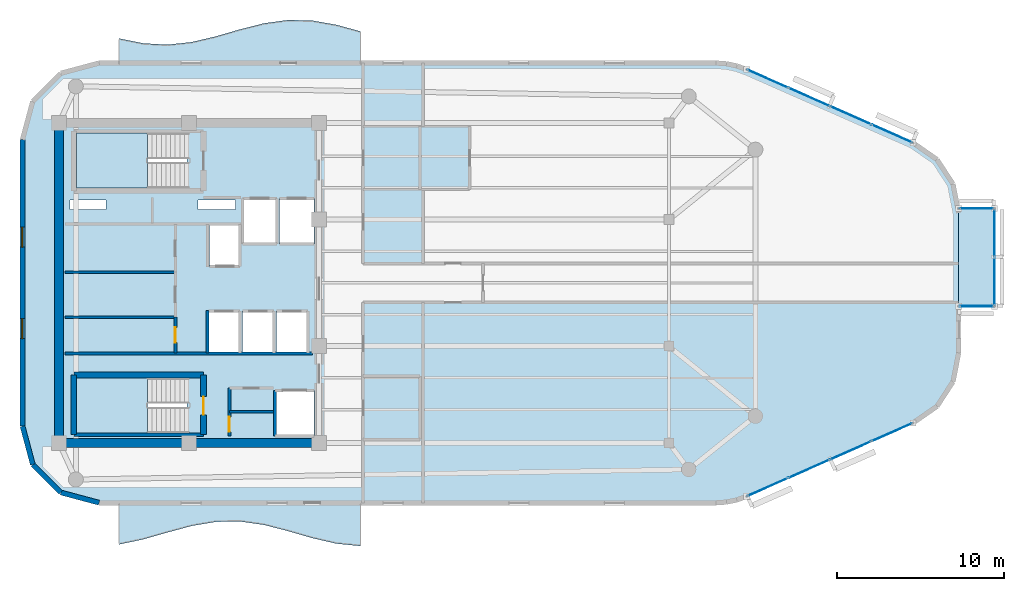
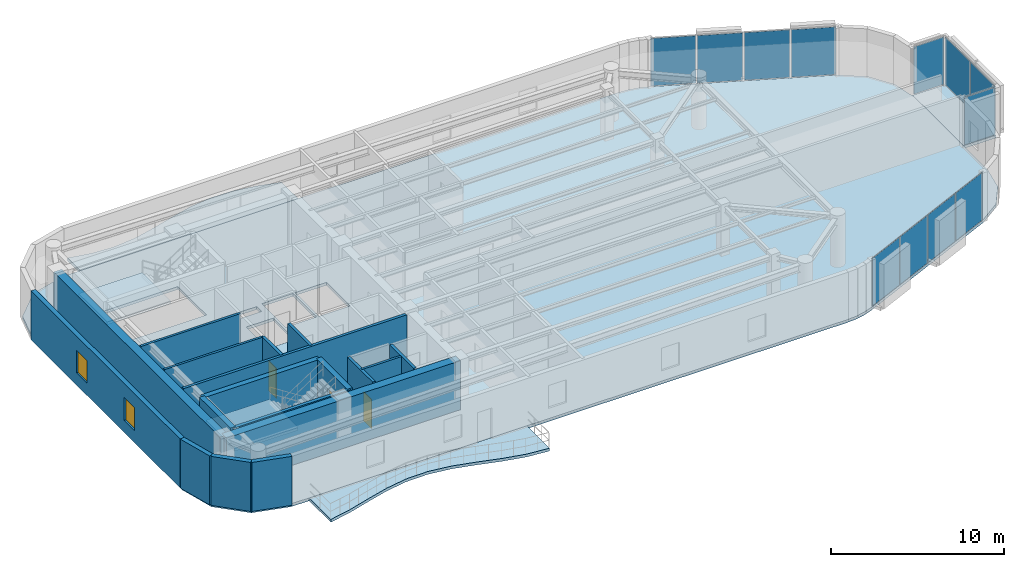
# One storey, part 8 of 13: 18 walls, 12 plates, 6 slabs, 3 doors, 2 windows, 5 openings, 7 elements without a shape of their own.
"""IFC4 building model written with IfcOpenShell, lengths in metres."""

import ifcopenshell
import ifcopenshell.guid

model = None  # the IFC model being written
_history = None  # IfcOwnerHistory: only IFC2X3 demands one
_inside = {}  # id of a spatial element -> (the spatial element, [elements in it])
_under = {}  # id of a project, library or spatial element -> (it, [spatial elements below it])
_declared = {}  # id of a project -> (the project, [libraries it declares])
_typed = {}  # id of a type object -> (the type object, [elements of that type])
_made_of = {}  # id of a material, layer set ... -> (it, [elements and type objects made of it])


def new_model(schema):
    """Start an empty IFC model of exactly this schema.

    Asked for "IFC4X3", IfcOpenShell would pick the latest addendum, in which some entities
    have other attributes; the version numbers below select the first issue.
    IFC2X3 requires an IfcOwnerHistory on every rooted entity: one is made here for all.
    """
    global model, _history
    if schema == "IFC4X3":
        model = ifcopenshell.file(schema_version=(4, 3, 0, 0))
    else:
        model = ifcopenshell.file(schema=schema)
    _inside.clear()
    _under.clear()
    _declared.clear()
    _typed.clear()
    _made_of.clear()
    _history = None
    if model.schema == "IFC2X3":
        org = make("IfcOrganization", Name="unknown")
        user = make(
            "IfcPersonAndOrganization",
            ThePerson=make("IfcPerson", FamilyName="unknown"),
            TheOrganization=org,
        )
        app = make(
            "IfcApplication",
            ApplicationDeveloper=org,
            Version="unknown",
            ApplicationFullName="unknown",
            ApplicationIdentifier="unknown",
        )
        _history = make(
            "IfcOwnerHistory",
            OwningUser=user,
            OwningApplication=app,
            ChangeAction="ADDED",
            CreationDate=0,
        )
    return model


def make(cls, **values):
    """One entity of the class cls with the attributes given. An attribute that is None is left unset."""
    return model.create_entity(
        cls, **{name: value for name, value in values.items() if value is not None}
    )


def rooted(cls, **values):
    """An entity with a GlobalId (a new one), such as an element, a storey or a relation."""
    return make(cls, GlobalId=ifcopenshell.guid.new(), OwnerHistory=_history, **values)


def si_unit(unit_type, name, prefix=None):
    """IfcSIUnit, for example si_unit("LENGTHUNIT", "METRE", prefix="MILLI")."""
    return make("IfcSIUnit", UnitType=unit_type, Prefix=prefix, Name=name)


def assignment(units):
    """IfcUnitAssignment: the units of a project."""
    return None if units is None else make("IfcUnitAssignment", Units=units)


def point(xyz):
    """IfcCartesianPoint."""
    return None if xyz is None else make("IfcCartesianPoint", Coordinates=xyz)


def direction(xyz):
    """IfcDirection."""
    return None if xyz is None else make("IfcDirection", DirectionRatios=xyz)


def frame(location, z_axis=None, x_axis=None):
    """IfcAxis2Placement3D, a coordinate frame: its origin and axes. An axis left out is left unset."""
    return make(
        "IfcAxis2Placement3D",
        Location=point(location),
        Axis=direction(z_axis),
        RefDirection=direction(x_axis),
    )


def frame_2d(location, x_axis=None):
    """IfcAxis2Placement2D, a coordinate frame in the plane: its origin and x axis."""
    return make(
        "IfcAxis2Placement2D", Location=point(location), RefDirection=direction(x_axis)
    )


def origin():
    """The frame at (0, 0, 0) with its axes left unset."""
    return frame((0.0, 0.0, 0.0))


def origin_2d():
    """The frame at (0, 0) in the plane with its x axis left unset."""
    return frame_2d((0.0, 0.0))


def place(relative_to, where):
    """IfcLocalPlacement: puts the frame where relative to a parent placement (None: the world)."""
    return make(
        "IfcLocalPlacement", PlacementRelTo=relative_to, RelativePlacement=where
    )


def context(
    kind, dimensions, precision=None, world=None, true_north=None, identifier=None
):
    """IfcGeometricRepresentationContext, for example the 3D "Model" context."""
    return make(
        "IfcGeometricRepresentationContext",
        ContextIdentifier=identifier,
        ContextType=kind,
        CoordinateSpaceDimension=dimensions,
        Precision=precision,
        WorldCoordinateSystem=world,
        TrueNorth=true_north,
    )


def subcontext(parent, identifier, kind, view, scale=None):
    """IfcGeometricRepresentationSubContext, for example "Body" below "Model"."""
    return make(
        "IfcGeometricRepresentationSubContext",
        ContextIdentifier=identifier,
        ContextType=kind,
        ParentContext=parent,
        TargetScale=scale,
        TargetView=view,
    )


def project(units=None, contexts=None):
    """IfcProject with its units and contexts."""
    return rooted(
        "IfcProject",
        Name="project",
        RepresentationContexts=contexts,
        UnitsInContext=assignment(units),
    )


def spatial(cls, under=None, at=None, **own):
    """A site, building, storey or space (cls), placed at a placement, below another one or the project."""
    s = rooted(cls, ObjectPlacement=at, **own)
    if under is not None:
        _under.setdefault(under.id(), (under, []))[1].append(s)
    return s


def polyline(points):
    """IfcPolyline through the points."""
    return make("IfcPolyline", Points=[point(p) for p in points])


def profile(cls, at=None, kind="AREA", **sizes):
    """A parametric profile (cls). Its sizes go by their IFC names, for example OverallWidth=200.0."""
    return make(cls, ProfileType=kind, Position=at, **sizes)


def rectangle(**sizes):
    """IfcRectangleProfileDef."""
    return profile("IfcRectangleProfileDef", **sizes)


def outline(outer, holes=None, kind="AREA"):
    """IfcArbitraryClosedProfileDef: a profile drawn as a closed curve; with holes, ...WithVoids."""
    if holes is None:
        return make("IfcArbitraryClosedProfileDef", ProfileType=kind, OuterCurve=outer)
    return make(
        "IfcArbitraryProfileDefWithVoids",
        ProfileType=kind,
        OuterCurve=outer,
        InnerCurves=holes,
    )


def extrude(swept, where, along, depth):
    """IfcExtrudedAreaSolid: the profile swept, set in the frame where, extruded along a direction by depth."""
    return make(
        "IfcExtrudedAreaSolid",
        SweptArea=swept,
        Position=where,
        ExtrudedDirection=direction(along),
        Depth=depth,
    )


def shape(context_of_items, identifier, shape_type, items):
    """IfcShapeRepresentation: the items that make up one representation, for example the "Body"."""
    return make(
        "IfcShapeRepresentation",
        ContextOfItems=context_of_items,
        RepresentationIdentifier=identifier,
        RepresentationType=shape_type,
        Items=items,
    )


def material(Name=None, Category=None):
    """IfcMaterial."""
    return make("IfcMaterial", Name=Name, Category=Category)


def layer(
    of_material, thickness, ventilated=None, Name=None, Category=None, Priority=None
):
    """IfcMaterialLayer: one layer of a wall or slab, of a material (None: an air gap)."""
    return make(
        "IfcMaterialLayer",
        Material=of_material,
        LayerThickness=thickness,
        IsVentilated=ventilated,
        Name=Name,
        Category=Category,
        Priority=Priority,
    )


def layer_set(layers, Name=None):
    """IfcMaterialLayerSet."""
    return make("IfcMaterialLayerSet", MaterialLayers=layers, LayerSetName=Name)


def made_of(thing, what):
    """Note that an element or type object is made of a material, layer set ...; save() writes the relation."""
    if what is not None:
        _made_of.setdefault(what.id(), (what, []))[1].append(thing)
    return thing


def type_object(cls, material=None, **own):
    """A type object (cls), such as IfcWallType, which elements share."""
    return made_of(rooted(cls, **own), material)


def element(
    cls,
    number,
    at=None,
    inside=None,
    cuts=None,
    type_object=None,
    material=None,
    context=None,
    identifier="Body",
    shape_type=None,
    held_by="IfcProductDefinitionShape",
    body=None,
    shapes=None,
    **own,
):
    """One element of the class cls, such as IfcWall. Its Tag is "e" and its number.

    at: its placement. inside: the storey or other place that contains it. cuts: it is an
    opening in that element (IfcRelVoidsElement). A single representation is given by context,
    identifier, shape_type and body (its items); several are given by shapes. held_by: the class
    of the entity that holds the representations. save() writes the other relations.
    """
    e = rooted(cls, Tag="e%d" % number, ObjectPlacement=at, **own)
    if body is not None:
        shapes = [shape(context, identifier, shape_type, body)]
    if shapes is not None:
        e.Representation = make(held_by, Representations=shapes)
    if inside is not None:
        _inside.setdefault(inside.id(), (inside, []))[1].append(e)
    if cuts is not None:
        rooted(
            "IfcRelVoidsElement", RelatingBuildingElement=cuts, RelatedOpeningElement=e
        )
    if type_object is not None:
        _typed.setdefault(type_object.id(), (type_object, []))[1].append(e)
    return made_of(e, material)


def fill(opening, filler):
    """IfcRelFillsElement: the door or window that sits in an opening."""
    return rooted(
        "IfcRelFillsElement",
        RelatingOpeningElement=opening,
        RelatedBuildingElement=filler,
    )


def aggregate(whole, parts):
    """IfcRelAggregates: a whole, such as a stair, and the parts it consists of."""
    return rooted("IfcRelAggregates", RelatingObject=whole, RelatedObjects=parts)


def save(model, path):
    """Write the relations noted so far, then the file.

    IfcRelAggregates (storeys below a building ...), IfcRelContainedInSpatialStructure (elements
    in a storey), IfcRelDefinesByType, IfcRelAssociatesMaterial and IfcRelDeclares: one each for
    every whole, place, type object, material and project.
    """
    for whole, parts in _under.values():
        aggregate(whole, parts)
    for where, things in _inside.values():
        rooted(
            "IfcRelContainedInSpatialStructure",
            RelatedElements=things,
            RelatingStructure=where,
        )
    for kind, things in _typed.values():
        rooted("IfcRelDefinesByType", RelatedObjects=things, RelatingType=kind)
    for what, things in _made_of.values():
        rooted("IfcRelAssociatesMaterial", RelatedObjects=things, RelatingMaterial=what)
    for by, libraries in _declared.values():
        rooted("IfcRelDeclares", RelatingContext=by, RelatedDefinitions=libraries)
    model.write(path)


model = new_model("IFC4")

# Units and contexts
model_context = context("Model", 3, precision=1e-05, world=origin(), true_north=direction((0.0, 1.0)))
body_context = subcontext(model_context, "Body", "Model", "MODEL_VIEW")
ifc_project = project(units=[si_unit("LENGTHUNIT", "METRE"), si_unit("AREAUNIT", "SQUARE_METRE"), si_unit("VOLUMEUNIT", "CUBIC_METRE"), si_unit("PLANEANGLEUNIT", "RADIAN"), si_unit("MASSUNIT", "GRAM", prefix="KILO")], contexts=[model_context])

# Site, building, storey
site_placement = place(None, origin())
site = spatial("IfcSite", under=ifc_project, at=site_placement, CompositionType="ELEMENT")
building_placement = place(site_placement, origin())
building = spatial("IfcBuilding", under=site, at=building_placement, Name="An Khanh Terracotta Commons", CompositionType="ELEMENT")
storey_placement = place(building_placement, frame((0.0, 0.0, 277.050048828125)))
storey = spatial("IfcBuildingStorey", under=building, at=storey_placement, Name="L72", CompositionType="ELEMENT", Elevation=277.050048828125)

# Curtain wall, plates
ifc_material_1 = material(Name="Anodised Aluminium 6063-T6", Category="aluminium")
ifc_layer_1 = layer(ifc_material_1, 0.2099609375, Name="Anodised Aluminium 6063-T6")
ifc_layer_set_1 = layer_set([ifc_layer_1], Name="Anodised Aluminium 6063-T6")
curtain_wall_type_1 = type_object("IfcCurtainWallType", Name="CW-SYS-03", PredefinedType="USERDEFINED", material=ifc_layer_set_1)
curtain_wall_1_placement = place(storey_placement, origin())
curtain_wall_1 = element("IfcCurtainWall", 1, at=curtain_wall_1_placement, inside=storey, type_object=curtain_wall_type_1, Name="L72 CW-03 Unitised Curtain Wall CW-L72-08", ObjectType="UNITISED CURTAIN WALL", PredefinedType="USERDEFINED")
ifc_material_2 = material(Name="Acoustic Laminated Low-E Glazing", Category="glass")
ifc_layer_2 = layer(ifc_material_2, 0.035888671875, Name="Acoustic Laminated Low-E Glazing")
ifc_layer_set_2 = layer_set([ifc_layer_2], Name="Acoustic Laminated Low-E Glazing")
plate_type_1 = type_object("IfcPlateType", Name="CWP-IGU-36", PredefinedType="CURTAIN_PANEL", material=ifc_layer_set_2)
plate_1_placement = place(storey_placement, frame((64.149169921875, 11.748046875, 0.0498046875), z_axis=(0.0, 0.0, 1.0), x_axis=(0.914901853201, 0.403676354285, 0.0)))
plate_1 = element("IfcPlate", 2, at=plate_1_placement, type_object=plate_type_1, Name="CW-03 panel 1.1", PredefinedType="CURTAIN_PANEL", context=body_context, shape_type="SweptSolid", body=[
    extrude(rectangle(XDim=2.619384765625, YDim=0.035888671875, at=origin_2d()), origin(), (0.0, 0.0, 1.0), 3.35009765625),
])
plate_2_placement = place(storey_placement, frame((66.625732421875, 12.840576171875, 0.0498046875), z_axis=(0.0, 0.0, 1.0), x_axis=(0.914901853201, 0.403676354285, 0.0)))
plate_2 = element("IfcPlate", 3, at=plate_2_placement, type_object=plate_type_1, Name="CW-03 panel 2.1", PredefinedType="CURTAIN_PANEL", context=body_context, shape_type="SweptSolid", body=[
    extrude(rectangle(XDim=2.654296875, YDim=0.035888671875, at=origin_2d()), origin(), (0.0, 0.0, 1.0), 3.35009765625),
])
plate_3_placement = place(storey_placement, frame((69.1181640625, 13.9404296875, 0.0498046875), z_axis=(0.0, 0.0, 1.0), x_axis=(0.914901853201, 0.403676354285, 0.0)))
plate_3 = element("IfcPlate", 4, at=plate_3_placement, type_object=plate_type_1, Name="CW-03 panel 3.1", PredefinedType="CURTAIN_PANEL", context=body_context, shape_type="SweptSolid", body=[
    extrude(rectangle(XDim=2.654296875, YDim=0.035888671875, at=origin_2d()), origin(), (0.0, 0.0, 1.0), 3.35009765625),
])
plate_4_placement = place(storey_placement, frame((71.5947265625, 15.032958984375, 0.0498046875), z_axis=(0.0, 0.0, 1.0), x_axis=(0.914901853201, 0.403676354285, 0.0)))
plate_4 = element("IfcPlate", 5, at=plate_4_placement, type_object=plate_type_1, Name="CW-03 panel 4.1", PredefinedType="CURTAIN_PANEL", context=body_context, shape_type="SweptSolid", body=[
    extrude(rectangle(XDim=2.619384765625, YDim=0.035888671875, at=origin_2d()), origin(), (0.0, 0.0, 1.0), 3.35009765625),
])
aggregate(curtain_wall_1, [plate_1, plate_2, plate_3, plate_4])

curtain_wall_2_placement = place(storey_placement, origin())
curtain_wall_2 = element("IfcCurtainWall", 6, at=curtain_wall_2_placement, inside=storey, type_object=curtain_wall_type_1, Name="L72 CW-03 Unitised Curtain Wall CW-L72-16", ObjectType="UNITISED CURTAIN WALL", PredefinedType="USERDEFINED")
plate_5_placement = place(storey_placement, frame((71.5947265625, 32.967041015625, 0.0498046875), z_axis=(0.0, 0.0, 1.0), x_axis=(-0.914901853201, 0.403676354285, 0.0)))
plate_5 = element("IfcPlate", 7, at=plate_5_placement, type_object=plate_type_1, Name="CW-03 panel 1.1", PredefinedType="CURTAIN_PANEL", context=body_context, shape_type="SweptSolid", body=[
    extrude(rectangle(XDim=2.619384765625, YDim=0.035888671875, at=origin_2d()), origin(), (0.0, 0.0, 1.0), 3.35009765625),
])
plate_6_placement = place(storey_placement, frame((69.1181640625, 34.0595703125, 0.0498046875), z_axis=(0.0, 0.0, 1.0), x_axis=(-0.914901853201, 0.403676354285, 0.0)))
plate_6 = element("IfcPlate", 8, at=plate_6_placement, type_object=plate_type_1, Name="CW-03 panel 2.1", PredefinedType="CURTAIN_PANEL", context=body_context, shape_type="SweptSolid", body=[
    extrude(rectangle(XDim=2.654296875, YDim=0.035888671875, at=origin_2d()), origin(), (0.0, 0.0, 1.0), 3.35009765625),
])
plate_7_placement = place(storey_placement, frame((66.625732421875, 35.159423828125, 0.0498046875), z_axis=(0.0, 0.0, 1.0), x_axis=(-0.914901853201, 0.403676354285, 0.0)))
plate_7 = element("IfcPlate", 9, at=plate_7_placement, type_object=plate_type_1, Name="CW-03 panel 3.1", PredefinedType="CURTAIN_PANEL", context=body_context, shape_type="SweptSolid", body=[
    extrude(rectangle(XDim=2.654296875, YDim=0.035888671875, at=origin_2d()), origin(), (0.0, 0.0, 1.0), 3.35009765625),
])
plate_8_placement = place(storey_placement, frame((64.149169921875, 36.251953125, 0.0498046875), z_axis=(0.0, 0.0, 1.0), x_axis=(-0.914901853201, 0.403676354285, 0.0)))
plate_8 = element("IfcPlate", 10, at=plate_8_placement, type_object=plate_type_1, Name="CW-03 panel 4.1", PredefinedType="CURTAIN_PANEL", context=body_context, shape_type="SweptSolid", body=[
    extrude(rectangle(XDim=2.619384765625, YDim=0.035888671875, at=origin_2d()), origin(), (0.0, 0.0, 1.0), 3.35009765625),
])
aggregate(curtain_wall_2, [plate_5, plate_6, plate_7, plate_8])

ifc_layer_3 = layer(ifc_material_1, 0.239990234375, Name="Anodised Aluminium 6063-T6")
ifc_layer_set_3 = layer_set([ifc_layer_3], Name="Anodised Aluminium 6063-T6")
curtain_wall_type_2 = type_object("IfcCurtainWallType", Name="CW-SYS-04", PredefinedType="USERDEFINED", material=ifc_layer_set_3)
curtain_wall_3_placement = place(storey_placement, origin())
curtain_wall_3 = element("IfcCurtainWall", 11, at=curtain_wall_3_placement, inside=storey, type_object=curtain_wall_type_2, Name="L72 CW-04 Unitised Curtain Wall CW-L72-EBOX-1", ObjectType="UNITISED CURTAIN WALL", PredefinedType="USERDEFINED")
ifc_material_3 = material(Name="Triple-Silver Sky-Lobby Glazing", Category="glass")
ifc_layer_4 = layer(ifc_material_3, 0.0400390625, Name="Triple-Silver Sky-Lobby Glazing")
ifc_layer_set_4 = layer_set([ifc_layer_4], Name="Triple-Silver Sky-Lobby Glazing")
plate_type_2 = type_object("IfcPlateType", Name="CWP-IGU-40", PredefinedType="CURTAIN_PANEL", material=ifc_layer_set_4)
plate_9_placement = place(storey_placement, frame((77.75, 24.083740234375, 0.059814453125), z_axis=(0.0, 0.0, 1.0), x_axis=(0.0, 1.0, 0.0)))
plate_9 = element("IfcPlate", 12, at=plate_9_placement, type_object=plate_type_2, Name="CW-04 panel 1.1", PredefinedType="CURTAIN_PANEL", context=body_context, shape_type="SweptSolid", body=[
    extrude(rectangle(XDim=2.83740234375, YDim=0.0400390625, at=origin_2d()), origin(), (0.0, 0.0, 1.0), 3.330078125),
])
plate_10_placement = place(storey_placement, frame((77.75, 26.986328125, 0.059814453125), z_axis=(0.0, 0.0, 1.0), x_axis=(0.0, 1.0, 0.0)))
plate_10 = element("IfcPlate", 13, at=plate_10_placement, type_object=plate_type_2, Name="CW-04 panel 2.1", PredefinedType="CURTAIN_PANEL", context=body_context, shape_type="SweptSolid", body=[
    extrude(rectangle(XDim=2.83740234375, YDim=0.0400390625, at=origin_2d()), origin(), (0.0, 0.0, 1.0), 3.330078125),
])
aggregate(curtain_wall_3, [plate_9, plate_10])

# Curtain wall, plate
curtain_wall_4_placement = place(storey_placement, origin())
curtain_wall_4 = element("IfcCurtainWall", 14, at=curtain_wall_4_placement, inside=storey, type_object=curtain_wall_type_2, Name="L72 CW-04 Unitised Curtain Wall CW-L72-EBOX-2", ObjectType="UNITISED CURTAIN WALL", PredefinedType="USERDEFINED")
plate_11_placement = place(storey_placement, frame((76.675048828125, 22.60009765625, 0.059814453125), z_axis=(0.0, 0.0, 1.0), x_axis=(1.0, 0.0, 0.0)))
plate_11 = element("IfcPlate", 15, at=plate_11_placement, type_object=plate_type_2, Name="CW-04 panel 1.1", PredefinedType="CURTAIN_PANEL", context=body_context, shape_type="SweptSolid", body=[
    extrude(rectangle(XDim=2.02001953125, YDim=0.0400390625, at=origin_2d()), origin(), (0.0, 0.0, 1.0), 3.330078125),
])
aggregate(curtain_wall_4, [plate_11])

curtain_wall_5_placement = place(storey_placement, origin())
curtain_wall_5 = element("IfcCurtainWall", 16, at=curtain_wall_5_placement, inside=storey, type_object=curtain_wall_type_2, Name="L72 CW-04 Unitised Curtain Wall CW-L72-EBOX-3", ObjectType="UNITISED CURTAIN WALL", PredefinedType="USERDEFINED")
plate_12_placement = place(storey_placement, frame((76.675048828125, 28.469970703125, 0.059814453125), z_axis=(0.0, 0.0, 1.0), x_axis=(-1.0, 0.0, 0.0)))
plate_12 = element("IfcPlate", 17, at=plate_12_placement, type_object=plate_type_2, Name="CW-04 panel 1.1", PredefinedType="CURTAIN_PANEL", context=body_context, shape_type="SweptSolid", body=[
    extrude(rectangle(XDim=2.02001953125, YDim=0.0400390625, at=origin_2d()), origin(), (0.0, 0.0, 1.0), 3.330078125),
])
aggregate(curtain_wall_5, [plate_12])

# Slabs
ifc_material_4 = material(Name="Concrete C40/50", Category="concrete")
ifc_layer_5 = layer(ifc_material_4, 0.199951171875, Name="Concrete C40/50")
ifc_layer_set_5 = layer_set([ifc_layer_5], Name="Concrete C40/50")
slab_type_1 = type_object("IfcSlabType", Name="SLAB-BALC-200", PredefinedType="FLOOR", material=ifc_layer_set_5)
slab_1_placement = place(storey_placement, frame((0.0, 0.0, -0.199951171875)))
element("IfcSlab", 18, at=slab_1_placement, inside=storey, type_object=slab_type_1, Name="L72 S Sinusoidal Wave Balcony Slab", PredefinedType="FLOOR", context=body_context, shape_type="SweptSolid", body=[
    extrude(outline(polyline([(25.199951171875, 10.800048828125), (25.199951171875, 8.300048828125), (26.64990234375, 8.60498046875), (28.10009765625, 9.01904296875), (29.550048828125, 9.409912109375), (31.0, 9.656982421875), (32.449951171875, 9.679931640625), (33.89990234375, 9.472900390625), (35.35009765625, 9.10107421875), (36.800048828125, 8.680908203125), (38.25, 8.345947265625), (39.699951171875, 8.201904296875), (39.699951171875, 10.800048828125), (25.199951171875, 10.800048828125)])), origin(), (0.0, 0.0, 1.0), 0.199951171875),
])
slab_2_placement = place(storey_placement, frame((0.0, 0.0, -0.199951171875)))
element("IfcSlab", 19, at=slab_2_placement, inside=storey, type_object=slab_type_1, Name="L72 N Sinusoidal Wave Balcony Slab", PredefinedType="FLOOR", context=body_context, shape_type="SweptSolid", body=[
    extrude(outline(polyline([(39.699951171875, 37.199951171875), (39.699951171875, 39.09912109375), (38.25, 39.4951171875), (36.800048828125, 39.75), (35.35009765625, 39.784912109375), (33.89990234375, 39.5869140625), (32.449951171875, 39.219970703125), (31.0, 38.800048828125), (29.550048828125, 38.4580078125), (28.10009765625, 38.302978515625), (26.64990234375, 38.384033203125), (25.199951171875, 38.675048828125), (25.199951171875, 37.199951171875), (39.699951171875, 37.199951171875)])), origin(), (0.0, 0.0, 1.0), 0.199951171875),
])

# Stair, slab
ifc_material_5 = material(Name="Precast concrete C40/50", Category="concrete")
stair_type = type_object("IfcStairType", Name="STAIR-CORE-1550", PredefinedType="HALF_TURN_STAIR", material=ifc_material_5)
stair_1_placement = place(storey_placement, origin())
stair_1 = element("IfcStair", 20, at=stair_1_placement, inside=storey, type_object=stair_type, Name="L72 Core Smokeproof Exit Stair ST-01", PredefinedType="HALF_TURN_STAIR")
ifc_layer_6 = layer(ifc_material_4, 0.18994140625, Name="Concrete C40/50")
ifc_layer_set_6 = layer_set([ifc_layer_6], Name="Concrete C40/50")
slab_type_2 = type_object("IfcSlabType", Name="SLAB-LANDING-190", PredefinedType="LANDING", material=ifc_layer_set_6)
slab_3_placement = place(storey_placement, frame((0.0, 0.0, 1.625)))
slab_3 = element("IfcSlab", 21, at=slab_3_placement, type_object=slab_type_2, Name="ST-01 landing 1", PredefinedType="LANDING", context=body_context, shape_type="SweptSolid", body=[
    extrude(outline(polyline([(26.889892578125, 33.0), (22.64990234375, 33.0), (22.64990234375, 29.699951171875), (26.889892578125, 29.699951171875), (26.889892578125, 33.0)])), origin(), (0.0, 0.0, 1.0), 0.199951171875),
])
aggregate(stair_1, [slab_3])

stair_2_placement = place(storey_placement, origin())
stair_2 = element("IfcStair", 22, at=stair_2_placement, inside=storey, type_object=stair_type, Name="L72 Core Smokeproof Exit Stair ST-02", PredefinedType="HALF_TURN_STAIR")
slab_4_placement = place(storey_placement, frame((0.0, 0.0, 1.625)))
slab_4 = element("IfcSlab", 23, at=slab_4_placement, type_object=slab_type_2, Name="ST-02 landing 1", PredefinedType="LANDING", context=body_context, shape_type="SweptSolid", body=[
    extrude(outline(polyline([(26.889892578125, 18.300048828125), (22.64990234375, 18.300048828125), (22.64990234375, 15.0), (26.889892578125, 15.0), (26.889892578125, 18.300048828125)])), origin(), (0.0, 0.0, 1.0), 0.199951171875),
])
aggregate(stair_2, [slab_4])

# Slabs
ifc_layer_7 = layer(ifc_material_4, 0.199951171875, Name="Concrete C40/50")
ifc_layer_set_7 = layer_set([ifc_layer_7], Name="Concrete C40/50")
slab_type_3 = type_object("IfcSlabType", Name="SLAB-TYP-200", PredefinedType="FLOOR", material=ifc_layer_set_7)
slab_5_placement = place(storey_placement, frame((0.0, 0.0, -0.199951171875)))
element("IfcSlab", 24, at=slab_5_placement, inside=storey, type_object=slab_type_3, Name="L72 Structural Floor Slab", PredefinedType="FLOOR", context=body_context, shape_type="SweptSolid", body=[
    extrude(outline(polyline([(19.39990234375, 15.39990234375), (20.01611328125, 13.10009765625), (21.699951171875, 11.416015625), (24.0, 10.800048828125), (61.030029296875, 10.800048828125), (61.6650390625, 10.843994140625), (62.2880859375, 10.97509765625), (62.886962890625, 11.19091796875), (72.85693359375, 15.590087890625), (74.302001953125, 16.594970703125), (75.262939453125, 18.070068359375), (75.60009765625, 19.798095703125), (75.60009765625, 28.201904296875), (75.262939453125, 29.929931640625), (74.302001953125, 31.405029296875), (72.85693359375, 32.409912109375), (62.886962890625, 36.80908203125), (62.2880859375, 37.02490234375), (61.6650390625, 37.156005859375), (61.030029296875, 37.199951171875), (24.0, 37.199951171875), (21.699951171875, 36.583984375), (20.01611328125, 34.89990234375), (19.39990234375, 32.60009765625), (19.39990234375, 15.39990234375)]), holes=[polyline([(22.64990234375, 29.699951171875), (29.27001953125, 29.699951171875), (29.27001953125, 33.0), (22.64990234375, 33.0), (22.64990234375, 29.699951171875)]), polyline([(22.64990234375, 15.0), (29.27001953125, 15.0), (29.27001953125, 18.300048828125), (22.64990234375, 18.300048828125), (22.64990234375, 15.0)]), polyline([(32.60009765625, 26.35009765625), (34.679931640625, 26.35009765625), (34.679931640625, 29.080078125), (32.60009765625, 29.080078125), (32.60009765625, 26.35009765625)]), polyline([(34.820068359375, 26.35009765625), (36.89990234375, 26.35009765625), (36.89990234375, 29.080078125), (34.820068359375, 29.080078125), (34.820068359375, 26.35009765625)]), polyline([(34.550048828125, 14.800048828125), (36.89990234375, 14.800048828125), (36.89990234375, 17.550048828125), (34.550048828125, 17.550048828125), (34.550048828125, 14.800048828125)]), polyline([(30.639892578125, 25.0), (32.4599609375, 25.0), (32.4599609375, 27.5), (30.639892578125, 27.5), (30.639892578125, 25.0)]), polyline([(30.56005859375, 19.800048828125), (32.4599609375, 19.800048828125), (32.4599609375, 22.300048828125), (30.56005859375, 22.300048828125), (30.56005859375, 19.800048828125)]), polyline([(32.60009765625, 19.800048828125), (34.5, 19.800048828125), (34.5, 22.300048828125), (32.60009765625, 22.300048828125), (32.60009765625, 19.800048828125)]), polyline([(34.639892578125, 19.800048828125), (36.5400390625, 19.800048828125), (36.5400390625, 22.300048828125), (34.639892578125, 22.300048828125), (34.639892578125, 19.800048828125)]), polyline([(22.25, 28.419921875), (24.39990234375, 28.419921875), (24.39990234375, 28.97998046875), (22.25, 28.97998046875), (22.25, 28.419921875)]), polyline([(29.949951171875, 28.419921875), (32.199951171875, 28.419921875), (32.199951171875, 28.97998046875), (29.949951171875, 28.97998046875), (29.949951171875, 28.419921875)])]), origin(), (0.0, 0.0, 1.0), 0.199951171875),
])
slab_6_placement = place(storey_placement, frame((0.0, 0.0, -0.199951171875)))
element("IfcSlab", 25, at=slab_6_placement, inside=storey, type_object=slab_type_3, Name="L72 Shifted Social Kitchen Box Floor Slab", PredefinedType="FLOOR", context=body_context, shape_type="SweptSolid", body=[
    extrude(outline(polyline([(75.60009765625, 22.60009765625), (77.75, 22.60009765625), (77.75, 28.469970703125), (75.60009765625, 28.469970703125), (75.60009765625, 22.60009765625)])), origin(), (0.0, 0.0, 1.0), 0.199951171875),
])

# Walls
ifc_material_6 = material(Name="Concrete C50/60", Category="concrete")
ifc_layer_8 = layer(ifc_material_6, 0.550048828125, Name="Concrete C50/60")
ifc_layer_set_8 = layer_set([ifc_layer_8], Name="Concrete C50/60")
wall_type_1 = type_object("IfcWallType", Name="WALL-CORE-550", PredefinedType="SHEAR", material=ifc_layer_set_8)
wall_1_placement = place(storey_placement, frame((21.60009765625, 14.39990234375, 0.0), z_axis=(0.0, 0.0, 1.0), x_axis=(0.0, 1.0, 0.0)))
element("IfcWall", 26, at=wall_1_placement, inside=storey, type_object=wall_type_1, Name="L72 Core Wall CWALL-L72-W", PredefinedType="SHEAR", context=body_context, shape_type="SweptSolid", body=[
    extrude(rectangle(XDim=19.2001953125, YDim=0.550048828125, at=frame_2d((9.60009765625, 0.0))), origin(), (0.0, 0.0, 1.0), 3.449951171875),
])
wall_2_placement = place(storey_placement, frame((37.199951171875, 14.39990234375, 0.0), z_axis=(0.0, 0.0, 1.0), x_axis=(-1.0, 0.0, 0.0)))
element("IfcWall", 27, at=wall_2_placement, inside=storey, type_object=wall_type_1, Name="L72 Core Wall CWALL-L72-S", PredefinedType="SHEAR", context=body_context, shape_type="SweptSolid", body=[
    extrude(rectangle(XDim=15.599853515625, YDim=0.550048828125, at=frame_2d((7.7998046875, 0.0))), origin(), (0.0, 0.0, 1.0), 3.449951171875),
])
ifc_material_7 = material(Name="Fire-Rated Gypsum Board on Steel Stud", Category="steel")
ifc_layer_9 = layer(ifc_material_7, 0.179931640625, Name="Fire-Rated Gypsum Board on Steel Stud")
ifc_layer_set_9 = layer_set([ifc_layer_9], Name="Fire-Rated Gypsum Board on Steel Stud")
wall_type_2 = type_object("IfcWallType", Name="WALL-CORR-180", PredefinedType="PARTITIONING", material=ifc_layer_set_9)
wall_3_placement = place(storey_placement, frame((21.949951171875, 19.760009765625, 0.0), z_axis=(0.0, 0.0, 1.0), x_axis=(1.0, 0.0, 0.0)))
element("IfcWall", 28, at=wall_3_placement, inside=storey, type_object=wall_type_2, Name="L72 Core Wall SVW-L72-N", PredefinedType="PARTITIONING", context=body_context, shape_type="SweptSolid", body=[
    extrude(rectangle(XDim=14.8701171875, YDim=0.179931640625, at=frame_2d((7.43505859375, 0.0))), origin(), (0.0, 0.0, 1.0), 3.449951171875),
])

# Wall, opening, door
wall_4_placement = place(storey_placement, frame((31.820068359375, 14.800048828125, 0.0), z_axis=(0.0, 0.0, 1.0), x_axis=(0.0, 1.0, 0.0)))
wall_4 = element("IfcWall", 29, at=wall_4_placement, inside=storey, type_object=wall_type_2, Name="L72 Core Wall SSVCW-L72-W", PredefinedType="PARTITIONING", context=body_context, shape_type="SweptSolid", body=[
    extrude(rectangle(XDim=2.8798828125, YDim=0.179931640625, at=frame_2d((1.43994140625, 0.0))), origin(), (0.0, 0.0, 1.0), 3.449951171875),
])
opening_1_placement = place(wall_4_placement, frame((0.260009765625, 0.0, 0.0)))
opening_1 = element("IfcOpeningElement", 30, at=opening_1_placement, cuts=wall_4, Name="Opening D-SV", PredefinedType="OPENING", context=body_context, shape_type="SweptSolid", body=[
    extrude(rectangle(XDim=0.89990234375, YDim=2.050048828125, at=frame_2d((0.449951171875, 1.02490234375))), frame((0.0, 0.099853515625, 0.0), z_axis=(0.0, -1.0, 0.0), x_axis=(1.0, 0.0, 0.0)), (0.0, 0.0, 1.0), 0.199951171875),
])
ifc_material_8 = material(Name="Fire-Rated Powder-Coated Steel Door", Category="steel")
door_type_1 = type_object("IfcDoorType", Name="DOOR-SERV-900", OperationType="NOTDEFINED", PredefinedType="DOOR", material=ifc_material_8)
door_1_placement = place(opening_1_placement, origin())
door_1 = element("IfcDoor", 31, at=door_1_placement, inside=storey, type_object=door_type_1, Name="L72 Telecoms BMS Cupboard Door", OperationType="SINGLE_SWING_RIGHT", OverallHeight=2.050048828125, OverallWidth=0.89990234375, PredefinedType="DOOR", context=body_context, shape_type="SweptSolid", body=[
    extrude(rectangle(XDim=0.89990234375, YDim=2.050048828125, at=frame_2d((0.449951171875, 1.02490234375))), frame((0.0, 0.02490234375, 0.0), z_axis=(0.0, -1.0, 0.0), x_axis=(1.0, 0.0, 0.0)), (0.0, 0.0, 1.0), 0.050048828125),
])
fill(opening_1, door_1)

# Walls
wall_5_placement = place(storey_placement, frame((34.550048828125, 17.550048828125, 0.0), z_axis=(0.0, 0.0, 1.0), x_axis=(0.0, -1.0, 0.0)))
element("IfcWall", 32, at=wall_5_placement, inside=storey, type_object=wall_type_2, Name="L72 Core Wall LSH-L72-SVL-01-W", PredefinedType="PARTITIONING", context=body_context, shape_type="SweptSolid", body=[
    extrude(rectangle(XDim=2.75, YDim=0.179931640625, at=frame_2d((1.375, 0.0))), origin(), (0.0, 0.0, 1.0), 3.449951171875),
])
wall_6_placement = place(storey_placement, frame((30.52001953125, 19.800048828125, 0.0), z_axis=(0.0, 0.0, 1.0), x_axis=(0.0, 1.0, 0.0)))
element("IfcWall", 33, at=wall_6_placement, inside=storey, type_object=wall_type_2, Name="L72 Core Wall RECW-L72-BE2", PredefinedType="PARTITIONING", context=body_context, shape_type="SweptSolid", body=[
    extrude(rectangle(XDim=2.550048828125, YDim=0.179931640625, at=frame_2d((1.27490234375, 0.0))), origin(), (0.0, 0.0, 1.0), 3.449951171875),
])

# Wall, opening, door
wall_7_placement = place(storey_placement, frame((28.580078125, 19.800048828125, 0.0), z_axis=(0.0, 0.0, 1.0), x_axis=(0.0, 1.0, 0.0)))
wall_7 = element("IfcWall", 34, at=wall_7_placement, inside=storey, type_object=wall_type_2, Name="L72 Core Wall RECW-L72-E3", PredefinedType="PARTITIONING", context=body_context, shape_type="SweptSolid", body=[
    extrude(rectangle(XDim=2.14990234375, YDim=0.179931640625, at=frame_2d((1.074951171875, 0.0))), origin(), (0.0, 0.0, 1.0), 3.449951171875),
])
opening_2_placement = place(wall_7_placement, frame((0.614990234375, 0.0, 0.0)))
opening_2 = element("IfcOpeningElement", 35, at=opening_2_placement, cuts=wall_7, Name="Opening D-RM", PredefinedType="OPENING", context=body_context, shape_type="SweptSolid", body=[
    extrude(rectangle(XDim=0.919921875, YDim=2.10009765625, at=frame_2d((0.4599609375, 1.050048828125))), frame((0.0, 0.099853515625, 0.0), z_axis=(0.0, -1.0, 0.0), x_axis=(1.0, 0.0, 0.0)), (0.0, 0.0, 1.0), 0.199951171875),
])
ifc_material_9 = material(Name="Engineered Hardwood Timber Leaf", Category="wood")
door_type_2 = type_object("IfcDoorType", Name="DOOR-INT-920", OperationType="NOTDEFINED", PredefinedType="DOOR", material=ifc_material_9)
door_2_placement = place(opening_2_placement, origin())
door_2 = element("IfcDoor", 36, at=door_2_placement, inside=storey, type_object=door_type_2, Name="L72 Communal Laundry Room Door", OperationType="SINGLE_SWING_LEFT", OverallHeight=2.10009765625, OverallWidth=0.919921875, PredefinedType="DOOR", context=body_context, shape_type="SweptSolid", body=[
    extrude(rectangle(XDim=0.919921875, YDim=2.10009765625, at=frame_2d((0.4599609375, 1.050048828125))), frame((0.0, 0.02490234375, 0.0), z_axis=(0.0, -1.0, 0.0), x_axis=(1.0, 0.0, 0.0)), (0.0, 0.0, 1.0), 0.050048828125),
])
fill(opening_2, door_2)

# Walls
ifc_layer_10 = layer(ifc_material_5, 0.300048828125, Name="Precast concrete C40/50")
ifc_layer_set_10 = layer_set([ifc_layer_10], Name="Precast concrete C40/50")
wall_type_3 = type_object("IfcWallType", Name="WALL-EXT-300", PredefinedType="SOLIDWALL", material=ifc_layer_set_10)
wall_8_placement = place(storey_placement, frame((19.39990234375, 15.39990234375, 0.0), z_axis=(0.0, 0.0, 1.0), x_axis=(0.258811258154, -0.965927912762, 0.0)))
element("IfcWall", 37, at=wall_8_placement, inside=storey, type_object=wall_type_3, Name="L72 Insulated Terracotta Exterior Wall 1", PredefinedType="SOLIDWALL", context=body_context, shape_type="SweptSolid", body=[
    extrude(rectangle(XDim=2.380859375, YDim=0.300048828125, at=frame_2d((1.1904296875, 0.0))), origin(), (0.0, 0.0, 1.0), 3.449951171875),
])
wall_9_placement = place(storey_placement, frame((20.01611328125, 13.10009765625, 0.0), z_axis=(0.0, 0.0, 1.0), x_axis=(0.707055521135, -0.707158037522, 0.0)))
element("IfcWall", 38, at=wall_9_placement, inside=storey, type_object=wall_type_3, Name="L72 Insulated Terracotta Exterior Wall 2", PredefinedType="SOLIDWALL", context=body_context, shape_type="SweptSolid", body=[
    extrude(rectangle(XDim=2.381591796875, YDim=0.300048828125, at=frame_2d((1.19091796875, 0.0))), origin(), (0.0, 0.0, 1.0), 3.449951171875),
])
wall_10_placement = place(storey_placement, frame((21.699951171875, 11.416015625, 0.0), z_axis=(0.0, 0.0, 1.0), x_axis=(0.965960405575, -0.25868995895, 0.0)))
element("IfcWall", 39, at=wall_10_placement, inside=storey, type_object=wall_type_3, Name="L72 Insulated Terracotta Exterior Wall 3", PredefinedType="SOLIDWALL", context=body_context, shape_type="SweptSolid", body=[
    extrude(rectangle(XDim=2.381103515625, YDim=0.300048828125, at=frame_2d((1.1904296875, 0.0))), origin(), (0.0, 0.0, 1.0), 3.449951171875),
])

# Wall, openings, windows
wall_11_placement = place(storey_placement, frame((19.39990234375, 32.60009765625, 0.0), z_axis=(0.0, 0.0, 1.0), x_axis=(0.0, -1.0, 0.0)))
wall_11 = element("IfcWall", 40, at=wall_11_placement, inside=storey, type_object=wall_type_3, Name="L72 Insulated Terracotta Exterior Wall 24", PredefinedType="SOLIDWALL", context=body_context, shape_type="SweptSolid", body=[
    extrude(rectangle(XDim=17.2001953125, YDim=0.300048828125, at=frame_2d((8.60009765625, 0.0))), origin(), (0.0, 0.0, 1.0), 3.449951171875),
])
opening_3_placement = place(wall_11_placement, frame((5.25, 0.0, 0.85009765625)))
opening_3 = element("IfcOpeningElement", 41, at=opening_3_placement, cuts=wall_11, Name="Opening W-05", PredefinedType="OPENING", context=body_context, shape_type="SweptSolid", body=[
    extrude(rectangle(XDim=1.199951171875, YDim=1.60009765625, at=frame_2d((0.60009765625, 0.800048828125))), frame((0.0, 0.159912109375, 0.0), z_axis=(0.0, -1.0, 0.0), x_axis=(1.0, 0.0, 0.0)), (0.0, 0.0, 1.0), 0.320068359375),
])
opening_4_placement = place(wall_11_placement, frame((10.75, 0.0, 0.85009765625)))
opening_4 = element("IfcOpeningElement", 42, at=opening_4_placement, cuts=wall_11, Name="Opening W-05", PredefinedType="OPENING", context=body_context, shape_type="SweptSolid", body=[
    extrude(rectangle(XDim=1.199951171875, YDim=1.60009765625, at=frame_2d((0.60009765625, 0.800048828125))), frame((0.0, 0.159912109375, 0.0), z_axis=(0.0, -1.0, 0.0), x_axis=(1.0, 0.0, 0.0)), (0.0, 0.0, 1.0), 0.320068359375),
])
ifc_material_10 = material(Name="Thermally Broken Aluminium and Low-E Glass", Category="aluminium")
window_type = type_object("IfcWindowType", Name="WIN-Z5-1200x1600", PartitioningType="SINGLE_PANEL", PredefinedType="WINDOW", material=ifc_material_10)
window_1_placement = place(opening_3_placement, origin())
window_1 = element("IfcWindow", 43, at=window_1_placement, inside=storey, type_object=window_type, Name="L72 Operable Casement Window 24.1", OverallHeight=1.60009765625, OverallWidth=1.199951171875, PartitioningType="SINGLE_PANEL", PredefinedType="WINDOW", context=body_context, shape_type="SweptSolid", body=[
    extrude(rectangle(XDim=1.199951171875, YDim=1.60009765625, at=frame_2d((0.60009765625, 0.800048828125))), frame((0.0, 0.030029296875, 0.0), z_axis=(0.0, -1.0, 0.0), x_axis=(1.0, 0.0, 0.0)), (0.0, 0.0, 1.0), 0.06005859375),
])
fill(opening_3, window_1)
window_2_placement = place(opening_4_placement, origin())
window_2 = element("IfcWindow", 44, at=window_2_placement, inside=storey, type_object=window_type, Name="L72 Operable Casement Window 24.2", OverallHeight=1.60009765625, OverallWidth=1.199951171875, PartitioningType="SINGLE_PANEL", PredefinedType="WINDOW", context=body_context, shape_type="SweptSolid", body=[
    extrude(rectangle(XDim=1.199951171875, YDim=1.60009765625, at=frame_2d((0.60009765625, 0.800048828125))), frame((0.0, 0.030029296875, 0.0), z_axis=(0.0, -1.0, 0.0), x_axis=(1.0, 0.0, 0.0)), (0.0, 0.0, 1.0), 0.06005859375),
])
fill(opening_4, window_2)

# Walls
ifc_material_11 = material(Name="Acoustic Gypsum Board Partition")
ifc_layer_11 = layer(ifc_material_11, 0.14990234375, Name="Acoustic Gypsum Board Partition")
ifc_layer_set_11 = layer_set([ifc_layer_11], Name="Acoustic Gypsum Board Partition")
wall_type_4 = type_object("IfcWallType", Name="WALL-PART-150", PredefinedType="PARTITIONING", material=ifc_layer_set_11)
wall_12_placement = place(storey_placement, frame((31.820068359375, 16.260009765625, 0.0), z_axis=(0.0, 0.0, 1.0), x_axis=(1.0, 0.0, 0.0)))
element("IfcWall", 45, at=wall_12_placement, inside=storey, type_object=wall_type_4, Name="L72 Core Wall SSVCW-L72-M", PredefinedType="PARTITIONING", context=body_context, shape_type="SweptSolid", body=[
    extrude(rectangle(XDim=2.659912109375, YDim=0.14990234375, at=frame_2d((1.330078125, 0.0))), origin(), (0.0, 0.0, 1.0), 3.449951171875),
])
for number, where, z_axis, x_axis, name in (
    (46, (21.949951171875, 24.64990234375, 0.0), (0.0, 0.0, 1.0), (1.0, 0.0, 0.0), "L72 Core Wall RECW-L72-H1"),
    (47, (21.949951171875, 21.949951171875, 0.0), (0.0, 0.0, 1.0), (1.0, 0.0, 0.0), "L72 Core Wall RECW-L72-H2"),
):
    element("IfcWall", number, at=place(storey_placement, frame(where, z_axis=z_axis, x_axis=x_axis)), inside=storey, type_object=wall_type_4, Name=name, PredefinedType="PARTITIONING", context=body_context, shape_type="SweptSolid", body=[
        extrude(rectangle(XDim=6.630126953125, YDim=0.14990234375, at=frame_2d((3.31494140625, 0.0))), origin(), (0.0, 0.0, 1.0), 3.449951171875),
    ])
ifc_material_12 = material(Name="Acoustic Double-Stud Gypsum and Mineral Wool")
ifc_layer_12 = layer(ifc_material_12, 0.219970703125, Name="Acoustic Double-Stud Gypsum and Mineral Wool")
ifc_layer_set_12 = layer_set([ifc_layer_12], Name="Acoustic Double-Stud Gypsum and Mineral Wool")
wall_type_5 = type_object("IfcWallType", Name="WALL-PARTY-220", PredefinedType="PARTITIONING", material=ifc_layer_set_12)
wall_13_placement = place(storey_placement, frame((22.47998046875, 14.889892578125, 0.0), z_axis=(0.0, 0.0, 1.0), x_axis=(1.0, 0.0, 0.0)))
element("IfcWall", 48, at=wall_13_placement, inside=storey, type_object=wall_type_5, Name="L72 Core Wall STW-L72-S-S", PredefinedType="PARTITIONING", context=body_context, shape_type="SweptSolid", body=[
    extrude(rectangle(XDim=7.7900390625, YDim=0.219970703125, at=frame_2d((3.89501953125, 0.0))), origin(), (0.0, 0.0, 1.0), 3.449951171875),
])
ifc_layer_13 = layer(ifc_material_6, 0.35009765625, Name="Concrete C50/60")
ifc_layer_set_13 = layer_set([ifc_layer_13], Name="Concrete C50/60")
wall_type_6 = type_object("IfcWallType", Name="WALL-SHAFT-350", PredefinedType="SOLIDWALL", material=ifc_layer_set_13)
wall_14_placement = place(storey_placement, frame((22.47998046875, 18.469970703125, 0.0), z_axis=(0.0, 0.0, 1.0), x_axis=(1.0, 0.0, 0.0)))
element("IfcWall", 49, at=wall_14_placement, inside=storey, type_object=wall_type_6, Name="L72 Core Wall STW-L72-S-N", PredefinedType="SOLIDWALL", context=body_context, shape_type="SweptSolid", body=[
    extrude(rectangle(XDim=7.7900390625, YDim=0.35009765625, at=frame_2d((3.89501953125, 0.0))), origin(), (0.0, 0.0, 1.0), 3.449951171875),
])
wall_15_placement = place(storey_placement, frame((22.47998046875, 14.889892578125, 0.0), z_axis=(0.0, 0.0, 1.0), x_axis=(0.0, 1.0, 0.0)))
element("IfcWall", 50, at=wall_15_placement, inside=storey, type_object=wall_type_6, Name="L72 Core Wall STW-L72-S-W", PredefinedType="SOLIDWALL", context=body_context, shape_type="SweptSolid", body=[
    extrude(rectangle(XDim=3.580078125, YDim=0.35009765625, at=frame_2d((1.7900390625, 0.0))), origin(), (0.0, 0.0, 1.0), 3.449951171875),
])

# Wall, opening, door
wall_16_placement = place(storey_placement, frame((30.27001953125, 14.889892578125, 0.0), z_axis=(0.0, 0.0, 1.0), x_axis=(0.0, 1.0, 0.0)))
wall_16 = element("IfcWall", 51, at=wall_16_placement, inside=storey, type_object=wall_type_6, Name="L72 Core Wall STW-L72-S-E", PredefinedType="SOLIDWALL", context=body_context, shape_type="SweptSolid", body=[
    extrude(rectangle(XDim=3.580078125, YDim=0.35009765625, at=frame_2d((1.7900390625, 0.0))), origin(), (0.0, 0.0, 1.0), 3.449951171875),
])
opening_5_placement = place(wall_16_placement, frame((1.18994140625, 0.0, 0.0)))
opening_5 = element("IfcOpeningElement", 52, at=opening_5_placement, cuts=wall_16, Name="Opening D-ST", PredefinedType="OPENING", context=body_context, shape_type="SweptSolid", body=[
    extrude(rectangle(XDim=1.10009765625, YDim=2.14990234375, at=frame_2d((0.550048828125, 1.074951171875))), frame((0.0, 0.18505859375, 0.0), z_axis=(0.0, -1.0, 0.0), x_axis=(1.0, 0.0, 0.0)), (0.0, 0.0, 1.0), 0.3701171875),
])
ifc_material_13 = material(Name="Fire-Rated Steel Leaf and Frame", Category="steel")
door_type_3 = type_object("IfcDoorType", Name="DOOR-STAIR-1100", OperationType="NOTDEFINED", PredefinedType="DOOR", material=ifc_material_13)
door_3_placement = place(opening_5_placement, origin())
door_3 = element("IfcDoor", 53, at=door_3_placement, inside=storey, type_object=door_type_3, Name="L72 Stair ST-02 Fire Door", OperationType="SINGLE_SWING_RIGHT", OverallHeight=2.14990234375, OverallWidth=1.10009765625, PredefinedType="DOOR", context=body_context, shape_type="SweptSolid", body=[
    extrude(rectangle(XDim=1.10009765625, YDim=2.14990234375, at=frame_2d((0.550048828125, 1.074951171875))), frame((0.0, 0.02490234375, 0.0), z_axis=(0.0, -1.0, 0.0), x_axis=(1.0, 0.0, 0.0)), (0.0, 0.0, 1.0), 0.050048828125),
])
fill(opening_5, door_3)

save(model, "model.ifc")
